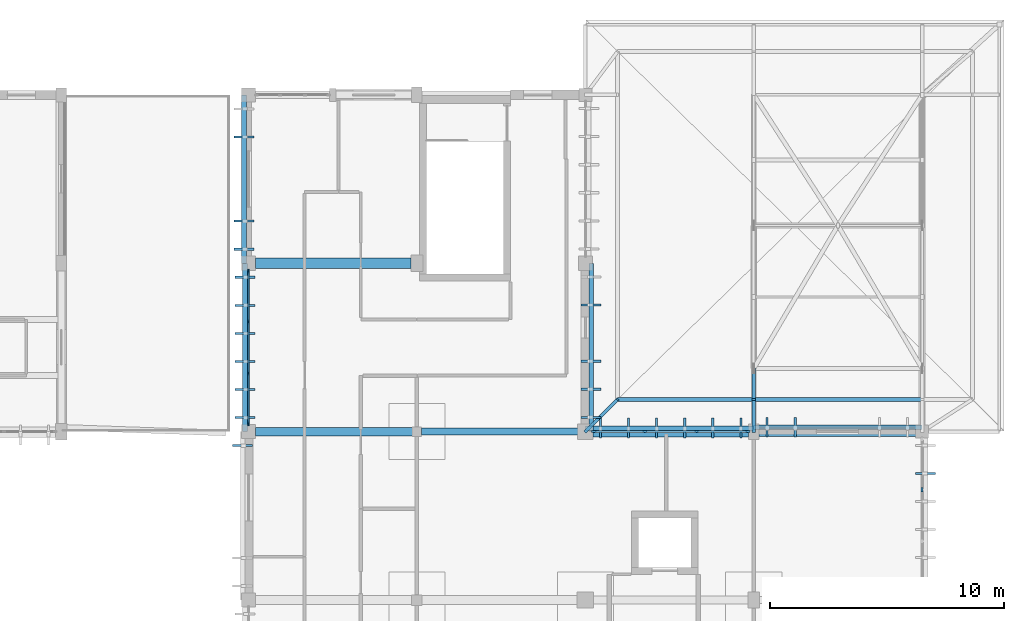
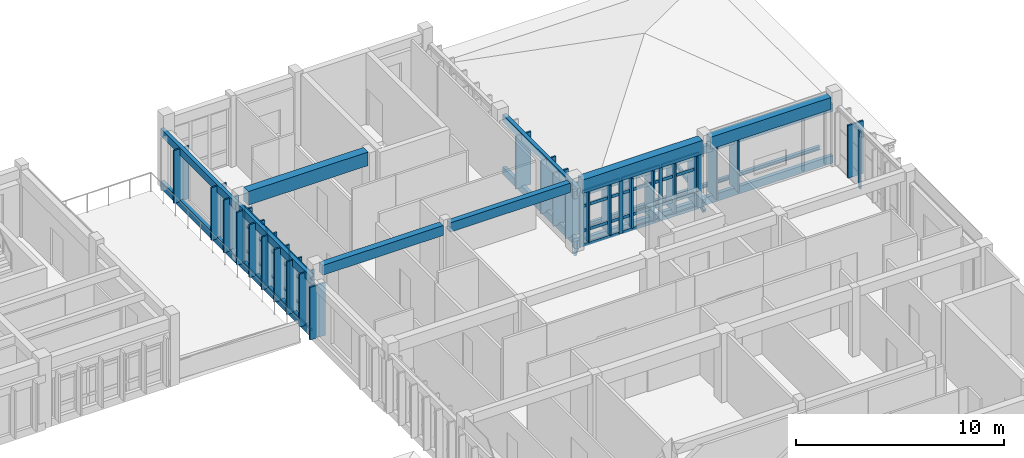
# One storey, part 15 of 51: 61 members, 15 beams, 3 elements without a shape of their own.
"""IFC4 building model written with IfcOpenShell, lengths in metres."""

import ifcopenshell
import ifcopenshell.guid

model = None  # the IFC model being written
_history = None  # IfcOwnerHistory: only IFC2X3 demands one
_inside = {}  # id of a spatial element -> (the spatial element, [elements in it])
_under = {}  # id of a project, library or spatial element -> (it, [spatial elements below it])
_declared = {}  # id of a project -> (the project, [libraries it declares])
_typed = {}  # id of a type object -> (the type object, [elements of that type])
_made_of = {}  # id of a material, layer set ... -> (it, [elements and type objects made of it])


def new_model(schema):
    """Start an empty IFC model of exactly this schema.

    Asked for "IFC4X3", IfcOpenShell would pick the latest addendum, in which some entities
    have other attributes; the version numbers below select the first issue.
    IFC2X3 requires an IfcOwnerHistory on every rooted entity: one is made here for all.
    """
    global model, _history
    if schema == "IFC4X3":
        model = ifcopenshell.file(schema_version=(4, 3, 0, 0))
    else:
        model = ifcopenshell.file(schema=schema)
    _inside.clear()
    _under.clear()
    _declared.clear()
    _typed.clear()
    _made_of.clear()
    _history = None
    if model.schema == "IFC2X3":
        org = make("IfcOrganization", Name="unknown")
        user = make(
            "IfcPersonAndOrganization",
            ThePerson=make("IfcPerson", FamilyName="unknown"),
            TheOrganization=org,
        )
        app = make(
            "IfcApplication",
            ApplicationDeveloper=org,
            Version="unknown",
            ApplicationFullName="unknown",
            ApplicationIdentifier="unknown",
        )
        _history = make(
            "IfcOwnerHistory",
            OwningUser=user,
            OwningApplication=app,
            ChangeAction="ADDED",
            CreationDate=0,
        )
    return model


def make(cls, **values):
    """One entity of the class cls with the attributes given. An attribute that is None is left unset."""
    return model.create_entity(
        cls, **{name: value for name, value in values.items() if value is not None}
    )


def rooted(cls, **values):
    """An entity with a GlobalId (a new one), such as an element, a storey or a relation."""
    return make(cls, GlobalId=ifcopenshell.guid.new(), OwnerHistory=_history, **values)


def si_unit(unit_type, name, prefix=None):
    """IfcSIUnit, for example si_unit("LENGTHUNIT", "METRE", prefix="MILLI")."""
    return make("IfcSIUnit", UnitType=unit_type, Prefix=prefix, Name=name)


def assignment(units):
    """IfcUnitAssignment: the units of a project."""
    return None if units is None else make("IfcUnitAssignment", Units=units)


def point(xyz):
    """IfcCartesianPoint."""
    return None if xyz is None else make("IfcCartesianPoint", Coordinates=xyz)


def direction(xyz):
    """IfcDirection."""
    return None if xyz is None else make("IfcDirection", DirectionRatios=xyz)


def frame(location, z_axis=None, x_axis=None):
    """IfcAxis2Placement3D, a coordinate frame: its origin and axes. An axis left out is left unset."""
    return make(
        "IfcAxis2Placement3D",
        Location=point(location),
        Axis=direction(z_axis),
        RefDirection=direction(x_axis),
    )


def frame_2d(location, x_axis=None):
    """IfcAxis2Placement2D, a coordinate frame in the plane: its origin and x axis."""
    return make(
        "IfcAxis2Placement2D", Location=point(location), RefDirection=direction(x_axis)
    )


def origin():
    """The frame at (0, 0, 0) with its axes left unset."""
    return frame((0.0, 0.0, 0.0))


def origin_2d():
    """The frame at (0, 0) in the plane with its x axis left unset."""
    return frame_2d((0.0, 0.0))


def place(relative_to, where):
    """IfcLocalPlacement: puts the frame where relative to a parent placement (None: the world)."""
    return make(
        "IfcLocalPlacement", PlacementRelTo=relative_to, RelativePlacement=where
    )


def context(
    kind, dimensions, precision=None, world=None, true_north=None, identifier=None
):
    """IfcGeometricRepresentationContext, for example the 3D "Model" context."""
    return make(
        "IfcGeometricRepresentationContext",
        ContextIdentifier=identifier,
        ContextType=kind,
        CoordinateSpaceDimension=dimensions,
        Precision=precision,
        WorldCoordinateSystem=world,
        TrueNorth=true_north,
    )


def subcontext(parent, identifier, kind, view, scale=None):
    """IfcGeometricRepresentationSubContext, for example "Body" below "Model"."""
    return make(
        "IfcGeometricRepresentationSubContext",
        ContextIdentifier=identifier,
        ContextType=kind,
        ParentContext=parent,
        TargetScale=scale,
        TargetView=view,
    )


def project(units=None, contexts=None):
    """IfcProject with its units and contexts."""
    return rooted(
        "IfcProject",
        Name="project",
        RepresentationContexts=contexts,
        UnitsInContext=assignment(units),
    )


def spatial(cls, under=None, at=None, **own):
    """A site, building, storey or space (cls), placed at a placement, below another one or the project."""
    s = rooted(cls, ObjectPlacement=at, **own)
    if under is not None:
        _under.setdefault(under.id(), (under, []))[1].append(s)
    return s


def profile(cls, at=None, kind="AREA", **sizes):
    """A parametric profile (cls). Its sizes go by their IFC names, for example OverallWidth=200.0."""
    return make(cls, ProfileType=kind, Position=at, **sizes)


def rectangle(**sizes):
    """IfcRectangleProfileDef."""
    return profile("IfcRectangleProfileDef", **sizes)


def i_section(**sizes):
    """IfcIShapeProfileDef."""
    return profile("IfcIShapeProfileDef", **sizes)


def extrude(swept, where, along, depth):
    """IfcExtrudedAreaSolid: the profile swept, set in the frame where, extruded along a direction by depth."""
    return make(
        "IfcExtrudedAreaSolid",
        SweptArea=swept,
        Position=where,
        ExtrudedDirection=direction(along),
        Depth=depth,
    )


def shape(context_of_items, identifier, shape_type, items):
    """IfcShapeRepresentation: the items that make up one representation, for example the "Body"."""
    return make(
        "IfcShapeRepresentation",
        ContextOfItems=context_of_items,
        RepresentationIdentifier=identifier,
        RepresentationType=shape_type,
        Items=items,
    )


def material(Name=None, Category=None):
    """IfcMaterial."""
    return make("IfcMaterial", Name=Name, Category=Category)


def material_profile(
    of_material, cross_section, Name=None, Category=None, Priority=None
):
    """IfcMaterialProfile: a cross section and its material."""
    return make(
        "IfcMaterialProfile",
        Name=Name,
        Material=of_material,
        Profile=cross_section,
        Priority=Priority,
        Category=Category,
    )


def profile_set(profiles, Name=None, composite=None):
    """IfcMaterialProfileSet."""
    return make(
        "IfcMaterialProfileSet",
        Name=Name,
        MaterialProfiles=profiles,
        CompositeProfile=composite,
    )


def made_of(thing, what):
    """Note that an element or type object is made of a material, layer set ...; save() writes the relation."""
    if what is not None:
        _made_of.setdefault(what.id(), (what, []))[1].append(thing)
    return thing


def type_object(cls, material=None, **own):
    """A type object (cls), such as IfcWallType, which elements share."""
    return made_of(rooted(cls, **own), material)


def element(
    cls,
    number,
    at=None,
    inside=None,
    cuts=None,
    type_object=None,
    material=None,
    context=None,
    identifier="Body",
    shape_type=None,
    held_by="IfcProductDefinitionShape",
    body=None,
    shapes=None,
    **own,
):
    """One element of the class cls, such as IfcWall. Its Tag is "e" and its number.

    at: its placement. inside: the storey or other place that contains it. cuts: it is an
    opening in that element (IfcRelVoidsElement). A single representation is given by context,
    identifier, shape_type and body (its items); several are given by shapes. held_by: the class
    of the entity that holds the representations. save() writes the other relations.
    """
    e = rooted(cls, Tag="e%d" % number, ObjectPlacement=at, **own)
    if body is not None:
        shapes = [shape(context, identifier, shape_type, body)]
    if shapes is not None:
        e.Representation = make(held_by, Representations=shapes)
    if inside is not None:
        _inside.setdefault(inside.id(), (inside, []))[1].append(e)
    if cuts is not None:
        rooted(
            "IfcRelVoidsElement", RelatingBuildingElement=cuts, RelatedOpeningElement=e
        )
    if type_object is not None:
        _typed.setdefault(type_object.id(), (type_object, []))[1].append(e)
    return made_of(e, material)


def aggregate(whole, parts):
    """IfcRelAggregates: a whole, such as a stair, and the parts it consists of."""
    return rooted("IfcRelAggregates", RelatingObject=whole, RelatedObjects=parts)


def save(model, path):
    """Write the relations noted so far, then the file.

    IfcRelAggregates (storeys below a building ...), IfcRelContainedInSpatialStructure (elements
    in a storey), IfcRelDefinesByType, IfcRelAssociatesMaterial and IfcRelDeclares: one each for
    every whole, place, type object, material and project.
    """
    for whole, parts in _under.values():
        aggregate(whole, parts)
    for where, things in _inside.values():
        rooted(
            "IfcRelContainedInSpatialStructure",
            RelatedElements=things,
            RelatingStructure=where,
        )
    for kind, things in _typed.values():
        rooted("IfcRelDefinesByType", RelatedObjects=things, RelatingType=kind)
    for what, things in _made_of.values():
        rooted("IfcRelAssociatesMaterial", RelatedObjects=things, RelatingMaterial=what)
    for by, libraries in _declared.values():
        rooted("IfcRelDeclares", RelatingContext=by, RelatedDefinitions=libraries)
    model.write(path)


model = new_model("IFC4")

# Units and contexts
model_context = context("Model", 3, precision=1e-05, world=origin(), true_north=direction((0.0, 1.0)))
body_context = subcontext(model_context, "Body", "Model", "MODEL_VIEW")
ifc_project = project(units=[si_unit("LENGTHUNIT", "METRE"), si_unit("AREAUNIT", "SQUARE_METRE"), si_unit("VOLUMEUNIT", "CUBIC_METRE"), si_unit("PLANEANGLEUNIT", "RADIAN"), si_unit("MASSUNIT", "GRAM", prefix="KILO")], contexts=[model_context])

# Site, building, storey
site_placement = place(None, origin())
site = spatial("IfcSite", under=ifc_project, at=site_placement, CompositionType="ELEMENT")
building_placement = place(site_placement, origin())
building = spatial("IfcBuilding", under=site, at=building_placement, Name="Steenspoor Specialist Clinic", CompositionType="ELEMENT")
storey_placement = place(building_placement, frame((0.0, 0.0, 17.39990234375)))
storey = spatial("IfcBuildingStorey", under=building, at=storey_placement, Name="L04", CompositionType="ELEMENT", Elevation=17.39990234375)

# Beams
ifc_material_1 = material(Name="Glulam GL28h", Category="wood")
ifc_material_profile_1 = material_profile(ifc_material_1, rectangle(XDim=0.199951171875, YDim=0.43994140625, at=origin_2d()), Name="GL28H-200X440")
ifc_profile_set_1 = profile_set([ifc_material_profile_1], Name="Glulam GL28h")
beam_type_1 = type_object("IfcBeamType", Name="BM-GL-200X440", PredefinedType="BEAM", material=ifc_profile_set_1)
for number, where, z_axis, x_axis, name in (
    (1, (117.85009765625, 93.949951171875, 0.14013671875), (0.0, 1.0, 0.0), (-1.0, 0.0, 0.0), "Timber Screen Tie Rail V6 L04 268"),
    (2, (117.85009765625, 93.949951171875, 3.22998046875), (0.0, 1.0, 0.0), (-1.0, 0.0, 0.0), "Timber Screen Tie Rail V6 L04 269"),
):
    element("IfcBeam", number, at=place(storey_placement, frame(where, z_axis=z_axis, x_axis=x_axis)), inside=storey, type_object=beam_type_1, Name=name, PredefinedType="BEAM", context=body_context, shape_type="SweptSolid", body=[
        extrude(rectangle(XDim=0.199951171875, YDim=0.43994140625, at=origin_2d()), origin(), (0.0, 0.0, 1.0), 7.199951171875),
    ])
for number, where, z_axis, x_axis, name in (
    (3, (117.81005859375, 101.14990234375, 0.14013671875), (0.0, 1.0, 0.0), (-1.0, 0.0, 0.0), "Timber Screen Tie Rail V6 L04 276"),
    (4, (117.81005859375, 101.14990234375, 3.22998046875), (0.0, 1.0, 0.0), (-1.0, 0.0, 0.0), "Timber Screen Tie Rail V6 L04 277"),
):
    element("IfcBeam", number, at=place(storey_placement, frame(where, z_axis=z_axis, x_axis=x_axis)), inside=storey, type_object=beam_type_1, Name=name, PredefinedType="BEAM", context=body_context, shape_type="SweptSolid", body=[
        extrude(rectangle(XDim=0.199951171875, YDim=0.43994140625, at=origin_2d()), origin(), (0.0, 0.0, 1.0), 7.2001953125),
    ])
for number, where, z_axis, x_axis, name in (
    (5, (132.64990234375, 101.14990234375, 0.14013671875), (0.0, -1.0, 0.0), (1.0, 0.0, 0.0), "Timber Screen Tie Rail V6 L04 290"),
    (6, (132.64990234375, 101.14990234375, 3.22998046875), (0.0, -1.0, 0.0), (1.0, 0.0, 0.0), "Timber Screen Tie Rail V6 L04 291"),
):
    element("IfcBeam", number, at=place(storey_placement, frame(where, z_axis=z_axis, x_axis=x_axis)), inside=storey, type_object=beam_type_1, Name=name, PredefinedType="BEAM", context=body_context, shape_type="SweptSolid", body=[
        extrude(rectangle(XDim=0.199951171875, YDim=0.43994140625, at=origin_2d()), origin(), (0.0, 0.0, 1.0), 7.199951171875),
    ])
for number, where, z_axis, x_axis, name in (
    (7, (132.39990234375, 94.10009765625, 0.14013671875), (1.0, 0.0, 0.0), (0.0, 1.0, 0.0), "Timber Screen Tie Rail V6 L04 297"),
    (8, (132.39990234375, 94.10009765625, 3.070068359375), (1.0, 0.0, 0.0), (0.0, 1.0, 0.0), "Timber Screen Tie Rail V6 L04 298"),
):
    element("IfcBeam", number, at=place(storey_placement, frame(where, z_axis=z_axis, x_axis=x_axis)), inside=storey, type_object=beam_type_1, Name=name, PredefinedType="BEAM", context=body_context, shape_type="SweptSolid", body=[
        extrude(rectangle(XDim=0.199951171875, YDim=0.43994140625, at=origin_2d()), origin(), (0.0, 0.0, 1.0), 7.2001953125),
    ])
for number, where, z_axis, x_axis, name in (
    (9, (139.60009765625, 94.139892578125, 0.14013671875), (1.0, 0.0, 0.0), (0.0, 1.0, 0.0), "Timber Screen Tie Rail V6 L04 305"),
    (10, (139.60009765625, 94.139892578125, 3.170166015625), (1.0, 0.0, 0.0), (0.0, 1.0, 0.0), "Timber Screen Tie Rail V6 L04 306"),
):
    element("IfcBeam", number, at=place(storey_placement, frame(where, z_axis=z_axis, x_axis=x_axis)), inside=storey, type_object=beam_type_1, Name=name, PredefinedType="BEAM", context=body_context, shape_type="SweptSolid", body=[
        extrude(rectangle(XDim=0.199951171875, YDim=0.43994140625, at=origin_2d()), origin(), (0.0, 0.0, 1.0), 7.199951171875),
    ])
ifc_material_2 = material(Name="Concrete C35/45", Category="concrete")
ifc_material_profile_2 = material_profile(ifc_material_2, rectangle(XDim=0.300048828125, YDim=0.550048828125, at=origin_2d()), Name="RC-BM-300X550")
ifc_profile_set_2 = profile_set([ifc_material_profile_2], Name="Concrete C35/45")
beam_type_2 = type_object("IfcBeamType", Name="BM-RC-300X550", PredefinedType="BEAM", material=ifc_profile_set_2)
beam_1_placement = place(storey_placement, frame((125.39501953125, 93.949951171875, 3.760009765625), z_axis=(1.0, 0.0, 0.0), x_axis=(0.0, 1.0, 0.0)))
element("IfcBeam", 11, at=beam_1_placement, inside=storey, type_object=beam_type_2, Name="BM-V6-L04-X1797", PredefinedType="BEAM", context=body_context, shape_type="SweptSolid", body=[
    extrude(rectangle(XDim=0.300048828125, YDim=0.550048828125, at=origin_2d()), origin(), (0.0, 0.0, 1.0), 6.68505859375),
])
ifc_material_profile_3 = material_profile(ifc_material_2, rectangle(XDim=0.35009765625, YDim=0.580078125, at=origin_2d()), Name="RC-BM-350X580")
ifc_profile_set_3 = profile_set([ifc_material_profile_3], Name="Concrete C35/45")
beam_type_3 = type_object("IfcBeamType", Name="BM-RC-350X580", PredefinedType="BEAM", material=ifc_profile_set_3)
beam_2_placement = place(storey_placement, frame((118.294921875, 93.949951171875, 3.7451171875), z_axis=(1.0, 0.0, 0.0), x_axis=(0.0, 1.0, 0.0)))
element("IfcBeam", 12, at=beam_2_placement, inside=storey, type_object=beam_type_3, Name="BM-V6-L04-X1796", PredefinedType="BEAM", context=body_context, shape_type="SweptSolid", body=[
    extrude(rectangle(XDim=0.35009765625, YDim=0.580078125, at=origin_2d()), origin(), (0.0, 0.0, 1.0), 6.7099609375),
])
ifc_material_profile_4 = material_profile(ifc_material_2, rectangle(XDim=0.39990234375, YDim=0.699951171875, at=origin_2d()), Name="RC-BM-400X700")
ifc_profile_set_4 = profile_set([ifc_material_profile_4], Name="Concrete C35/45")
beam_type_4 = type_object("IfcBeamType", Name="BM-RC-400X700", PredefinedType="BEAM", material=ifc_profile_set_4)
beam_3_placement = place(storey_placement, frame((139.820068359375, 93.949951171875, 3.68505859375), z_axis=(1.0, 0.0, 0.0), x_axis=(0.0, 1.0, 0.0)))
element("IfcBeam", 13, at=beam_3_placement, inside=storey, type_object=beam_type_4, Name="BM-V6-L04-X1799", PredefinedType="BEAM", context=body_context, shape_type="SweptSolid", body=[
    extrude(rectangle(XDim=0.39990234375, YDim=0.699951171875, at=origin_2d()), origin(), (0.0, 0.0, 1.0), 6.7099609375),
])
ifc_material_profile_5 = material_profile(ifc_material_2, rectangle(XDim=0.449951171875, YDim=0.800048828125, at=origin_2d()), Name="RC-BM-450X800")
ifc_profile_set_5 = profile_set([ifc_material_profile_5], Name="Concrete C35/45")
beam_type_5 = type_object("IfcBeamType", Name="BM-RC-450X800", PredefinedType="BEAM", material=ifc_profile_set_5)
beam_4_placement = place(storey_placement, frame((132.719970703125, 93.949951171875, 3.635009765625), z_axis=(1.0, 0.0, 0.0), x_axis=(0.0, 1.0, 0.0)))
element("IfcBeam", 14, at=beam_4_placement, inside=storey, type_object=beam_type_5, Name="BM-V6-L04-X1798", PredefinedType="BEAM", context=body_context, shape_type="SweptSolid", body=[
    extrude(rectangle(XDim=0.449951171875, YDim=0.800048828125, at=origin_2d()), origin(), (0.0, 0.0, 1.0), 6.659912109375),
])
beam_5_placement = place(storey_placement, frame((118.294921875, 101.14990234375, 3.635009765625), z_axis=(1.0, 0.0, 0.0), x_axis=(0.0, 1.0, 0.0)))
element("IfcBeam", 15, at=beam_5_placement, inside=storey, type_object=beam_type_5, Name="BM-V6-L04-X1800", PredefinedType="BEAM", context=body_context, shape_type="SweptSolid", body=[
    extrude(rectangle(XDim=0.449951171875, YDim=0.800048828125, at=origin_2d()), origin(), (0.0, 0.0, 1.0), 6.66015625),
])

# Curtain wall, members
ifc_material_3 = material(Name="Thermally broken aluminium and low-emissivity glass", Category="aluminium")
curtain_wall_type_1 = type_object("IfcCurtainWallType", Name="CW-TYP-360X355", PredefinedType="USERDEFINED", material=ifc_material_3)
curtain_wall_1_placement = place(storey_placement, origin())
curtain_wall_1 = element("IfcCurtainWall", 16, at=curtain_wall_1_placement, inside=storey, type_object=curtain_wall_type_1, Name="Unitised Curtain Wall CW-V6-L04-206", ObjectType="UNITISED GLAZING", PredefinedType="USERDEFINED")
ifc_material_4 = material(Name="Thermally broken aluminium 6063-T6", Category="aluminium")
ifc_material_profile_6 = material_profile(ifc_material_4, rectangle(XDim=0.070068359375, YDim=0.1650390625, at=origin_2d()), Name="CWM-70X165")
ifc_profile_set_6 = profile_set([ifc_material_profile_6], Name="Thermally broken aluminium 6063-T6")
member_type_1 = type_object("IfcMemberType", Name="CW-MULL-70X165", PredefinedType="MULLION", material=ifc_profile_set_6)
member_1_placement = place(storey_placement, frame((118.0, 94.284912109375, 0.0), z_axis=(0.0, 0.0, 1.0), x_axis=(-1.0, 0.0, 0.0)))
member_1 = element("IfcMember", 17, at=member_1_placement, type_object=member_type_1, Name="CW-14 mullion 1", PredefinedType="MULLION", context=body_context, shape_type="SweptSolid", body=[
    extrude(rectangle(XDim=0.070068359375, YDim=0.1650390625, at=origin_2d()), origin(), (0.0, 0.0, 1.0), 3.380126953125),
])
member_2_placement = place(storey_placement, frame((118.0, 96.449951171875, 0.0), z_axis=(0.0, 0.0, 1.0), x_axis=(-1.0, 0.0, 0.0)))
member_2 = element("IfcMember", 18, at=member_2_placement, type_object=member_type_1, Name="CW-14 mullion 2", PredefinedType="MULLION", context=body_context, shape_type="SweptSolid", body=[
    extrude(rectangle(XDim=0.070068359375, YDim=0.1650390625, at=origin_2d()), origin(), (0.0, 0.0, 1.0), 3.380126953125),
])
member_3_placement = place(storey_placement, frame((118.0, 98.64990234375, 0.0), z_axis=(0.0, 0.0, 1.0), x_axis=(-1.0, 0.0, 0.0)))
member_3 = element("IfcMember", 19, at=member_3_placement, type_object=member_type_1, Name="CW-14 mullion 3", PredefinedType="MULLION", context=body_context, shape_type="SweptSolid", body=[
    extrude(rectangle(XDim=0.070068359375, YDim=0.1650390625, at=origin_2d()), origin(), (0.0, 0.0, 1.0), 3.380126953125),
])
member_4_placement = place(storey_placement, frame((118.0, 100.81494140625, 0.0), z_axis=(0.0, 0.0, 1.0), x_axis=(-1.0, 0.0, 0.0)))
member_4 = element("IfcMember", 20, at=member_4_placement, type_object=member_type_1, Name="CW-14 mullion 4", PredefinedType="MULLION", context=body_context, shape_type="SweptSolid", body=[
    extrude(rectangle(XDim=0.070068359375, YDim=0.1650390625, at=origin_2d()), origin(), (0.0, 0.0, 1.0), 3.380126953125),
])

# Curtain wall, member
curtain_wall_type_2 = type_object("IfcCurtainWallType", Name="CW-TYP-540X355", PredefinedType="USERDEFINED", material=ifc_material_3)
curtain_wall_2_placement = place(storey_placement, origin())
curtain_wall_2 = element("IfcCurtainWall", 21, at=curtain_wall_2_placement, inside=storey, type_object=curtain_wall_type_2, Name="Unitised Curtain Wall CW-V6-L04-203", ObjectType="UNITISED GLAZING", PredefinedType="USERDEFINED")
ifc_material_profile_7 = material_profile(ifc_material_4, rectangle(XDim=0.090087890625, YDim=0.199951171875, at=origin_2d()), Name="CWM-90X200")
ifc_profile_set_7 = profile_set([ifc_material_profile_7], Name="Thermally broken aluminium 6063-T6")
member_type_2 = type_object("IfcMemberType", Name="CW-MULL-90X200", PredefinedType="MULLION", material=ifc_profile_set_7)
member_5_placement = place(storey_placement, frame((146.800048828125, 91.466552734375, 0.0), z_axis=(0.0, 0.0, 1.0), x_axis=(1.0, 0.0, 0.0)))
member_5 = element("IfcMember", 22, at=member_5_placement, type_object=member_type_2, Name="CW-11 mullion 2", PredefinedType="MULLION", context=body_context, shape_type="SweptSolid", body=[
    extrude(rectangle(XDim=0.090087890625, YDim=0.199951171875, at=origin_2d()), origin(), (0.0, 0.0, 1.0), 3.380126953125),
])
aggregate(curtain_wall_2, [member_5])

# Curtain wall, members
curtain_wall_type_3 = type_object("IfcCurtainWallType", Name="CW-SCR-660X320", PredefinedType="USERDEFINED", material=ifc_material_3)
curtain_wall_3_placement = place(storey_placement, origin())
curtain_wall_3 = element("IfcCurtainWall", 23, at=curtain_wall_3_placement, inside=storey, type_object=curtain_wall_type_3, Name="Unitised Curtain Wall CW-V6-L04-209", ObjectType="UNITISED GLAZING", PredefinedType="USERDEFINED")
member_6_placement = place(storey_placement, frame((132.77001953125, 93.949951171875, 0.0), z_axis=(0.0, 0.0, 1.0), x_axis=(0.0, 1.0, 0.0)))
member_6 = element("IfcMember", 24, at=member_6_placement, type_object=member_type_2, Name="CW-17 mullion 1", PredefinedType="MULLION", context=body_context, shape_type="SweptSolid", body=[
    extrude(rectangle(XDim=0.090087890625, YDim=0.199951171875, at=origin_2d()), origin(), (0.0, 0.0, 1.0), 3.22021484375),
])
member_7_placement = place(storey_placement, frame((134.941650390625, 93.949951171875, 0.0), z_axis=(0.0, 0.0, 1.0), x_axis=(0.0, 1.0, 0.0)))
member_7 = element("IfcMember", 25, at=member_7_placement, type_object=member_type_2, Name="CW-17 mullion 2", PredefinedType="MULLION", context=body_context, shape_type="SweptSolid", body=[
    extrude(rectangle(XDim=0.090087890625, YDim=0.199951171875, at=origin_2d()), origin(), (0.0, 0.0, 1.0), 3.22021484375),
])
member_8_placement = place(storey_placement, frame((137.158447265625, 93.949951171875, 0.0), z_axis=(0.0, 0.0, 1.0), x_axis=(0.0, 1.0, 0.0)))
member_8 = element("IfcMember", 26, at=member_8_placement, type_object=member_type_2, Name="CW-17 mullion 3", PredefinedType="MULLION", context=body_context, shape_type="SweptSolid", body=[
    extrude(rectangle(XDim=0.090087890625, YDim=0.199951171875, at=origin_2d()), origin(), (0.0, 0.0, 1.0), 3.22021484375),
])
member_9_placement = place(storey_placement, frame((139.330078125, 93.949951171875, 0.0), z_axis=(0.0, 0.0, 1.0), x_axis=(0.0, 1.0, 0.0)))
member_9 = element("IfcMember", 27, at=member_9_placement, type_object=member_type_2, Name="CW-17 mullion 4", PredefinedType="MULLION", context=body_context, shape_type="SweptSolid", body=[
    extrude(rectangle(XDim=0.090087890625, YDim=0.199951171875, at=origin_2d()), origin(), (0.0, 0.0, 1.0), 3.22021484375),
])

# Member
ifc_material_profile_8 = material_profile(ifc_material_4, rectangle(XDim=0.070068359375, YDim=0.14501953125, at=origin_2d()), Name="CWT-70X145")
ifc_profile_set_8 = profile_set([ifc_material_profile_8], Name="Thermally broken aluminium 6063-T6")
member_type_3 = type_object("IfcMemberType", Name="CW-TRAN-70X145", PredefinedType="USERDEFINED", material=ifc_profile_set_8)
member_10_placement = place(storey_placement, frame((118.0, 94.320068359375, 0.03515625), z_axis=(0.0, 1.0, 0.0), x_axis=(-1.0, 0.0, 0.0)))
member_10 = element("IfcMember", 28, at=member_10_placement, type_object=member_type_3, Name="CW-14 transom 1.1", ObjectType="TRANSOM", PredefinedType="USERDEFINED", context=body_context, shape_type="SweptSolid", body=[
    extrude(rectangle(XDim=0.070068359375, YDim=0.14501953125, at=origin_2d()), origin(), (0.0, 0.0, 1.0), 2.094970703125),
])

member_11_placement = place(storey_placement, frame((118.0, 94.320068359375, 0.900146484375), z_axis=(0.0, 1.0, 0.0), x_axis=(-1.0, 0.0, 0.0)))
member_11 = element("IfcMember", 29, at=member_11_placement, type_object=member_type_3, Name="CW-14 transom 1.2", ObjectType="TRANSOM", PredefinedType="USERDEFINED", context=body_context, shape_type="SweptSolid", body=[
    extrude(rectangle(XDim=0.070068359375, YDim=0.14501953125, at=origin_2d()), origin(), (0.0, 0.0, 1.0), 2.094970703125),
])

member_12_placement = place(storey_placement, frame((118.0, 94.320068359375, 2.35009765625), z_axis=(0.0, 1.0, 0.0), x_axis=(-1.0, 0.0, 0.0)))
member_12 = element("IfcMember", 30, at=member_12_placement, type_object=member_type_3, Name="CW-14 transom 1.3", ObjectType="TRANSOM", PredefinedType="USERDEFINED", context=body_context, shape_type="SweptSolid", body=[
    extrude(rectangle(XDim=0.070068359375, YDim=0.14501953125, at=origin_2d()), origin(), (0.0, 0.0, 1.0), 2.094970703125),
])

member_13_placement = place(storey_placement, frame((118.0, 94.320068359375, 3.34521484375), z_axis=(0.0, 1.0, 0.0), x_axis=(-1.0, 0.0, 0.0)))
member_13 = element("IfcMember", 31, at=member_13_placement, type_object=member_type_3, Name="CW-14 transom 1.4", ObjectType="TRANSOM", PredefinedType="USERDEFINED", context=body_context, shape_type="SweptSolid", body=[
    extrude(rectangle(XDim=0.070068359375, YDim=0.14501953125, at=origin_2d()), origin(), (0.0, 0.0, 1.0), 2.094970703125),
])

member_14_placement = place(storey_placement, frame((118.0, 96.485107421875, 0.03515625), z_axis=(0.0, 1.0, 0.0), x_axis=(-1.0, 0.0, 0.0)))
member_14 = element("IfcMember", 32, at=member_14_placement, type_object=member_type_3, Name="CW-14 transom 2.1", ObjectType="TRANSOM", PredefinedType="USERDEFINED", context=body_context, shape_type="SweptSolid", body=[
    extrude(rectangle(XDim=0.070068359375, YDim=0.14501953125, at=origin_2d()), origin(), (0.0, 0.0, 1.0), 2.1298828125),
])

member_15_placement = place(storey_placement, frame((118.0, 96.485107421875, 0.900146484375), z_axis=(0.0, 1.0, 0.0), x_axis=(-1.0, 0.0, 0.0)))
member_15 = element("IfcMember", 33, at=member_15_placement, type_object=member_type_3, Name="CW-14 transom 2.2", ObjectType="TRANSOM", PredefinedType="USERDEFINED", context=body_context, shape_type="SweptSolid", body=[
    extrude(rectangle(XDim=0.070068359375, YDim=0.14501953125, at=origin_2d()), origin(), (0.0, 0.0, 1.0), 2.1298828125),
])

member_16_placement = place(storey_placement, frame((118.0, 96.485107421875, 2.35009765625), z_axis=(0.0, 1.0, 0.0), x_axis=(-1.0, 0.0, 0.0)))
member_16 = element("IfcMember", 34, at=member_16_placement, type_object=member_type_3, Name="CW-14 transom 2.3", ObjectType="TRANSOM", PredefinedType="USERDEFINED", context=body_context, shape_type="SweptSolid", body=[
    extrude(rectangle(XDim=0.070068359375, YDim=0.14501953125, at=origin_2d()), origin(), (0.0, 0.0, 1.0), 2.1298828125),
])

member_17_placement = place(storey_placement, frame((118.0, 96.485107421875, 3.34521484375), z_axis=(0.0, 1.0, 0.0), x_axis=(-1.0, 0.0, 0.0)))
member_17 = element("IfcMember", 35, at=member_17_placement, type_object=member_type_3, Name="CW-14 transom 2.4", ObjectType="TRANSOM", PredefinedType="USERDEFINED", context=body_context, shape_type="SweptSolid", body=[
    extrude(rectangle(XDim=0.070068359375, YDim=0.14501953125, at=origin_2d()), origin(), (0.0, 0.0, 1.0), 2.1298828125),
])

member_18_placement = place(storey_placement, frame((118.0, 98.68505859375, 0.03515625), z_axis=(0.0, 1.0, 0.0), x_axis=(-1.0, 0.0, 0.0)))
member_18 = element("IfcMember", 36, at=member_18_placement, type_object=member_type_3, Name="CW-14 transom 3.1", ObjectType="TRANSOM", PredefinedType="USERDEFINED", context=body_context, shape_type="SweptSolid", body=[
    extrude(rectangle(XDim=0.070068359375, YDim=0.14501953125, at=origin_2d()), origin(), (0.0, 0.0, 1.0), 2.094970703125),
])

member_19_placement = place(storey_placement, frame((118.0, 98.68505859375, 0.900146484375), z_axis=(0.0, 1.0, 0.0), x_axis=(-1.0, 0.0, 0.0)))
member_19 = element("IfcMember", 37, at=member_19_placement, type_object=member_type_3, Name="CW-14 transom 3.2", ObjectType="TRANSOM", PredefinedType="USERDEFINED", context=body_context, shape_type="SweptSolid", body=[
    extrude(rectangle(XDim=0.070068359375, YDim=0.14501953125, at=origin_2d()), origin(), (0.0, 0.0, 1.0), 2.094970703125),
])

member_20_placement = place(storey_placement, frame((118.0, 98.68505859375, 2.35009765625), z_axis=(0.0, 1.0, 0.0), x_axis=(-1.0, 0.0, 0.0)))
member_20 = element("IfcMember", 38, at=member_20_placement, type_object=member_type_3, Name="CW-14 transom 3.3", ObjectType="TRANSOM", PredefinedType="USERDEFINED", context=body_context, shape_type="SweptSolid", body=[
    extrude(rectangle(XDim=0.070068359375, YDim=0.14501953125, at=origin_2d()), origin(), (0.0, 0.0, 1.0), 2.094970703125),
])

member_21_placement = place(storey_placement, frame((118.0, 98.68505859375, 3.34521484375), z_axis=(0.0, 1.0, 0.0), x_axis=(-1.0, 0.0, 0.0)))
member_21 = element("IfcMember", 39, at=member_21_placement, type_object=member_type_3, Name="CW-14 transom 3.4", ObjectType="TRANSOM", PredefinedType="USERDEFINED", context=body_context, shape_type="SweptSolid", body=[
    extrude(rectangle(XDim=0.070068359375, YDim=0.14501953125, at=origin_2d()), origin(), (0.0, 0.0, 1.0), 2.094970703125),
])

aggregate(curtain_wall_1, [member_1, member_2, member_3, member_4, member_10, member_11, member_12, member_13, member_14, member_15, member_16, member_17, member_18, member_19, member_20, member_21])

ifc_material_profile_9 = material_profile(ifc_material_4, rectangle(XDim=0.090087890625, YDim=0.175048828125, at=origin_2d()), Name="CWT-90X175")
ifc_profile_set_9 = profile_set([ifc_material_profile_9], Name="Thermally broken aluminium 6063-T6")
member_type_4 = type_object("IfcMemberType", Name="CW-TRAN-90X175", PredefinedType="USERDEFINED", material=ifc_profile_set_9)
member_22_placement = place(storey_placement, frame((132.81494140625, 93.949951171875, 0.045166015625), z_axis=(1.0, 0.0, 0.0), x_axis=(0.0, 1.0, 0.0)))
member_22 = element("IfcMember", 40, at=member_22_placement, type_object=member_type_4, Name="CW-17 transom 1.1", ObjectType="TRANSOM", PredefinedType="USERDEFINED", context=body_context, shape_type="SweptSolid", body=[
    extrude(rectangle(XDim=0.090087890625, YDim=0.175048828125, at=origin_2d()), origin(), (0.0, 0.0, 1.0), 2.081787109375),
])

member_23_placement = place(storey_placement, frame((132.81494140625, 93.949951171875, 0.900146484375), z_axis=(1.0, 0.0, 0.0), x_axis=(0.0, 1.0, 0.0)))
member_23 = element("IfcMember", 41, at=member_23_placement, type_object=member_type_4, Name="CW-17 transom 1.2", ObjectType="TRANSOM", PredefinedType="USERDEFINED", context=body_context, shape_type="SweptSolid", body=[
    extrude(rectangle(XDim=0.090087890625, YDim=0.175048828125, at=origin_2d()), origin(), (0.0, 0.0, 1.0), 2.081787109375),
])

member_24_placement = place(storey_placement, frame((132.81494140625, 93.949951171875, 2.35009765625), z_axis=(1.0, 0.0, 0.0), x_axis=(0.0, 1.0, 0.0)))
member_24 = element("IfcMember", 42, at=member_24_placement, type_object=member_type_4, Name="CW-17 transom 1.3", ObjectType="TRANSOM", PredefinedType="USERDEFINED", context=body_context, shape_type="SweptSolid", body=[
    extrude(rectangle(XDim=0.090087890625, YDim=0.175048828125, at=origin_2d()), origin(), (0.0, 0.0, 1.0), 2.081787109375),
])

member_25_placement = place(storey_placement, frame((132.81494140625, 93.949951171875, 3.175048828125), z_axis=(1.0, 0.0, 0.0), x_axis=(0.0, 1.0, 0.0)))
member_25 = element("IfcMember", 43, at=member_25_placement, type_object=member_type_4, Name="CW-17 transom 1.4", ObjectType="TRANSOM", PredefinedType="USERDEFINED", context=body_context, shape_type="SweptSolid", body=[
    extrude(rectangle(XDim=0.090087890625, YDim=0.175048828125, at=origin_2d()), origin(), (0.0, 0.0, 1.0), 2.081787109375),
])

member_26_placement = place(storey_placement, frame((134.986572265625, 93.949951171875, 0.045166015625), z_axis=(1.0, 0.0, 0.0), x_axis=(0.0, 1.0, 0.0)))
member_26 = element("IfcMember", 44, at=member_26_placement, type_object=member_type_4, Name="CW-17 transom 2.1", ObjectType="TRANSOM", PredefinedType="USERDEFINED", context=body_context, shape_type="SweptSolid", body=[
    extrude(rectangle(XDim=0.090087890625, YDim=0.175048828125, at=origin_2d()), origin(), (0.0, 0.0, 1.0), 2.126708984375),
])

member_27_placement = place(storey_placement, frame((134.986572265625, 93.949951171875, 0.900146484375), z_axis=(1.0, 0.0, 0.0), x_axis=(0.0, 1.0, 0.0)))
member_27 = element("IfcMember", 45, at=member_27_placement, type_object=member_type_4, Name="CW-17 transom 2.2", ObjectType="TRANSOM", PredefinedType="USERDEFINED", context=body_context, shape_type="SweptSolid", body=[
    extrude(rectangle(XDim=0.090087890625, YDim=0.175048828125, at=origin_2d()), origin(), (0.0, 0.0, 1.0), 2.126708984375),
])

member_28_placement = place(storey_placement, frame((134.986572265625, 93.949951171875, 2.35009765625), z_axis=(1.0, 0.0, 0.0), x_axis=(0.0, 1.0, 0.0)))
member_28 = element("IfcMember", 46, at=member_28_placement, type_object=member_type_4, Name="CW-17 transom 2.3", ObjectType="TRANSOM", PredefinedType="USERDEFINED", context=body_context, shape_type="SweptSolid", body=[
    extrude(rectangle(XDim=0.090087890625, YDim=0.175048828125, at=origin_2d()), origin(), (0.0, 0.0, 1.0), 2.126708984375),
])

member_29_placement = place(storey_placement, frame((134.986572265625, 93.949951171875, 3.175048828125), z_axis=(1.0, 0.0, 0.0), x_axis=(0.0, 1.0, 0.0)))
member_29 = element("IfcMember", 47, at=member_29_placement, type_object=member_type_4, Name="CW-17 transom 2.4", ObjectType="TRANSOM", PredefinedType="USERDEFINED", context=body_context, shape_type="SweptSolid", body=[
    extrude(rectangle(XDim=0.090087890625, YDim=0.175048828125, at=origin_2d()), origin(), (0.0, 0.0, 1.0), 2.126708984375),
])

member_30_placement = place(storey_placement, frame((137.203369140625, 93.949951171875, 0.045166015625), z_axis=(1.0, 0.0, 0.0), x_axis=(0.0, 1.0, 0.0)))
member_30 = element("IfcMember", 48, at=member_30_placement, type_object=member_type_4, Name="CW-17 transom 3.1", ObjectType="TRANSOM", PredefinedType="USERDEFINED", context=body_context, shape_type="SweptSolid", body=[
    extrude(rectangle(XDim=0.090087890625, YDim=0.175048828125, at=origin_2d()), origin(), (0.0, 0.0, 1.0), 2.08154296875),
])

member_31_placement = place(storey_placement, frame((137.203369140625, 93.949951171875, 0.900146484375), z_axis=(1.0, 0.0, 0.0), x_axis=(0.0, 1.0, 0.0)))
member_31 = element("IfcMember", 49, at=member_31_placement, type_object=member_type_4, Name="CW-17 transom 3.2", ObjectType="TRANSOM", PredefinedType="USERDEFINED", context=body_context, shape_type="SweptSolid", body=[
    extrude(rectangle(XDim=0.090087890625, YDim=0.175048828125, at=origin_2d()), origin(), (0.0, 0.0, 1.0), 2.08154296875),
])

member_32_placement = place(storey_placement, frame((137.203369140625, 93.949951171875, 2.35009765625), z_axis=(1.0, 0.0, 0.0), x_axis=(0.0, 1.0, 0.0)))
member_32 = element("IfcMember", 50, at=member_32_placement, type_object=member_type_4, Name="CW-17 transom 3.3", ObjectType="TRANSOM", PredefinedType="USERDEFINED", context=body_context, shape_type="SweptSolid", body=[
    extrude(rectangle(XDim=0.090087890625, YDim=0.175048828125, at=origin_2d()), origin(), (0.0, 0.0, 1.0), 2.08154296875),
])

member_33_placement = place(storey_placement, frame((137.203369140625, 93.949951171875, 3.175048828125), z_axis=(1.0, 0.0, 0.0), x_axis=(0.0, 1.0, 0.0)))
member_33 = element("IfcMember", 51, at=member_33_placement, type_object=member_type_4, Name="CW-17 transom 3.4", ObjectType="TRANSOM", PredefinedType="USERDEFINED", context=body_context, shape_type="SweptSolid", body=[
    extrude(rectangle(XDim=0.090087890625, YDim=0.175048828125, at=origin_2d()), origin(), (0.0, 0.0, 1.0), 2.08154296875),
])

aggregate(curtain_wall_3, [member_6, member_7, member_8, member_9, member_22, member_23, member_24, member_25, member_26, member_27, member_28, member_29, member_30, member_31, member_32, member_33])

# Members
ifc_material_5 = material(Name="Steel A992 Grade 50", Category="steel")
ifc_material_profile_10 = material_profile(ifc_material_5, i_section(OverallWidth=0.1650390625, OverallDepth=0.200927734375, WebThickness=0.006103515625, FlangeThickness=0.01025390625, at=origin_2d()), Name="W200X36")
ifc_profile_set_10 = profile_set([ifc_material_profile_10], Name="Steel A992 Grade 50")
member_type_5 = type_object("IfcMemberType", Name="MEM-PURLIN-W200", PredefinedType="PURLIN", material=ifc_profile_set_10)
member_34_placement = place(storey_placement, frame((133.780029296875, 95.330078125, 0.065185546875), z_axis=(1.0, 0.0, 0.0), x_axis=(0.0, 1.0, 0.0)))
element("IfcMember", 52, at=member_34_placement, inside=storey, type_object=member_type_5, Name="ROOF TRUSS Knuckle Purlin 497", PredefinedType="PURLIN", context=body_context, shape_type="SweptSolid", body=[
    extrude(i_section(OverallWidth=0.1650390625, OverallDepth=0.200927734375, WebThickness=0.006103515625, FlangeThickness=0.01025390625, at=origin_2d()), origin(), (0.0, 0.0, 1.0), 5.820068359375),
])
member_35_placement = place(storey_placement, frame((139.60009765625, 95.330078125, 0.065185546875), z_axis=(1.0, 0.0, 0.0), x_axis=(0.0, 1.0, 0.0)))
element("IfcMember", 53, at=member_35_placement, inside=storey, type_object=member_type_5, Name="ROOF TRUSS Knuckle Purlin 499", PredefinedType="PURLIN", context=body_context, shape_type="SweptSolid", body=[
    extrude(i_section(OverallWidth=0.1650390625, OverallDepth=0.200927734375, WebThickness=0.006103515625, FlangeThickness=0.01025390625, at=origin_2d()), origin(), (0.0, 0.0, 1.0), 7.199951171875),
])
ifc_material_profile_11 = material_profile(ifc_material_1, rectangle(XDim=0.139892578125, YDim=0.219970703125, at=origin_2d()), Name="GL28H-140X220")
ifc_profile_set_11 = profile_set([ifc_material_profile_11], Name="Glulam GL28h")
member_type_6 = type_object("IfcMemberType", Name="MEM-RAFTER-GL220", PredefinedType="RAFTER", material=ifc_profile_set_11)
member_36_placement = place(storey_placement, frame((139.60009765625, 93.949951171875, -0.3349609375), z_axis=(0.0, 0.937624653648, 0.347649261285), x_axis=(-1.0, 0.0, 0.0)))
element("IfcMember", 54, at=member_36_placement, inside=storey, type_object=member_type_6, Name="ROOF TRUSS Knuckle Rafter V6T3 336", PredefinedType="RAFTER", context=body_context, shape_type="SweptSolid", body=[
    extrude(rectangle(XDim=0.139892578125, YDim=0.219970703125, at=origin_2d()), origin(), (0.0, 0.0, 1.0), 1.471923828125),
])
member_37_placement = place(storey_placement, frame((132.39990234375, 93.949951171875, -0.35498046875), z_axis=(0.682241524507, 0.682241524507, 0.262855482112), x_axis=(-0.707106781187, 0.707106781187, 0.0)))
element("IfcMember", 55, at=member_37_placement, inside=storey, type_object=member_type_6, Name="ROOF TRUSS Corner Knuckle Rafter V6T3 346", PredefinedType="RAFTER", context=body_context, shape_type="SweptSolid", body=[
    extrude(rectangle(XDim=0.139892578125, YDim=0.219970703125, at=origin_2d()), origin(), (0.0, 0.0, 1.0), 2.02294921875),
])
member_38_placement = place(storey_placement, frame((139.60009765625, 93.949951171875, 0.253173828125), z_axis=(0.0, 0.984053050615, 0.177875219114), x_axis=(-1.0, 0.0, 0.0)))
element("IfcMember", 56, at=member_38_placement, inside=storey, type_object=member_type_6, Name="ROOF TRUSS Heel Strut V6T3 S 2", PredefinedType="RAFTER", context=body_context, shape_type="SweptSolid", body=[
    extrude(rectangle(XDim=0.139892578125, YDim=0.219970703125, at=origin_2d()), origin(), (0.0, 0.0, 1.0), 2.74365234375),
])
ifc_material_profile_12 = material_profile(ifc_material_1, rectangle(XDim=0.090087890625, YDim=0.85009765625, at=origin_2d()), Name="GL28H-90X850")
ifc_profile_set_12 = profile_set([ifc_material_profile_12], Name="Glulam GL28h")
member_type_7 = type_object("IfcMemberType", Name="MEM-SCREEN-GL850", PredefinedType="STRUT", material=ifc_profile_set_12)
for number, where, z_axis, x_axis, name in (
    (57, (146.949951171875, 92.16259765625, 0.27001953125), (0.0, 0.0, 1.0), (0.0, -1.0, 0.0), "Glulam Timber Screen Fin SCR-FIN-V6-L04-0239"),
    (58, (117.75, 93.35009765625, 0.27001953125), (0.0, 0.0, 1.0), (0.0, 1.0, 0.0), "Glulam Timber Screen Fin SCR-FIN-V6-L04-0267"),
    (59, (117.85009765625, 94.550048828125, 0.27001953125), (0.0, 0.0, 1.0), (0.0, 1.0, 0.0), "Glulam Timber Screen Fin SCR-FIN-V6-L04-0270"),
    (60, (117.85009765625, 95.75, 0.27001953125), (0.0, 0.0, 1.0), (0.0, 1.0, 0.0), "Glulam Timber Screen Fin SCR-FIN-V6-L04-0271"),
    (61, (117.85009765625, 96.949951171875, 0.27001953125), (0.0, 0.0, 1.0), (0.0, 1.0, 0.0), "Glulam Timber Screen Fin SCR-FIN-V6-L04-0272"),
    (62, (117.85009765625, 98.14990234375, 0.27001953125), (0.0, 0.0, 1.0), (0.0, 1.0, 0.0), "Glulam Timber Screen Fin SCR-FIN-V6-L04-0273"),
    (63, (117.85009765625, 99.35009765625, 0.27001953125), (0.0, 0.0, 1.0), (0.0, 1.0, 0.0), "Glulam Timber Screen Fin SCR-FIN-V6-L04-0274"),
    (64, (117.85009765625, 100.550048828125, 0.27001953125), (0.0, 0.0, 1.0), (0.0, 1.0, 0.0), "Glulam Timber Screen Fin SCR-FIN-V6-L04-0275"),
    (65, (117.81005859375, 101.75, 0.27001953125), (0.0, 0.0, 1.0), (0.0, 1.0, 0.0), "Glulam Timber Screen Fin SCR-FIN-V6-L04-0278"),
    (66, (117.81005859375, 102.949951171875, 0.27001953125), (0.0, 0.0, 1.0), (0.0, 1.0, 0.0), "Glulam Timber Screen Fin SCR-FIN-V6-L04-0279"),
    (67, (117.81005859375, 106.550048828125, 0.27001953125), (0.0, 0.0, 1.0), (0.0, 1.0, 0.0), "Glulam Timber Screen Fin SCR-FIN-V6-L04-0280"),
    (68, (132.64990234375, 99.362548828125, 0.27001953125), (0.0, 0.0, 1.0), (0.0, -1.0, 0.0), "Glulam Timber Screen Fin SCR-FIN-V6-L04-0293"),
    (69, (132.64990234375, 96.96240234375, 0.27001953125), (0.0, 0.0, 1.0), (0.0, -1.0, 0.0), "Glulam Timber Screen Fin SCR-FIN-V6-L04-0294"),
    (70, (132.64990234375, 95.762451171875, 0.27001953125), (0.0, 0.0, 1.0), (0.0, -1.0, 0.0), "Glulam Timber Screen Fin SCR-FIN-V6-L04-0295"),
    (71, (132.64990234375, 94.5625, 0.27001953125), (0.0, 0.0, 1.0), (0.0, -1.0, 0.0), "Glulam Timber Screen Fin SCR-FIN-V6-L04-0296"),
):
    element("IfcMember", number, at=place(storey_placement, frame(where, z_axis=z_axis, x_axis=x_axis)), inside=storey, type_object=member_type_7, Name=name, PredefinedType="STRUT", context=body_context, shape_type="SweptSolid", body=[
        extrude(rectangle(XDim=0.090087890625, YDim=0.85009765625, at=origin_2d()), origin(), (0.0, 0.0, 1.0), 3.10009765625),
    ])
for number, where, z_axis, x_axis, name in (
    (72, (133.050048828125, 94.10009765625, 0.27001953125), (0.0, 0.0, 1.0), (1.0, 0.0, 0.0), "Glulam Timber Screen Fin SCR-FIN-V6-L04-0299"),
    (73, (134.25, 94.10009765625, 0.27001953125), (0.0, 0.0, 1.0), (1.0, 0.0, 0.0), "Glulam Timber Screen Fin SCR-FIN-V6-L04-0300"),
    (74, (135.449951171875, 94.10009765625, 0.27001953125), (0.0, 0.0, 1.0), (1.0, 0.0, 0.0), "Glulam Timber Screen Fin SCR-FIN-V6-L04-0301"),
    (75, (136.64990234375, 94.10009765625, 0.27001953125), (0.0, 0.0, 1.0), (1.0, 0.0, 0.0), "Glulam Timber Screen Fin SCR-FIN-V6-L04-0302"),
    (76, (137.85009765625, 94.10009765625, 0.27001953125), (0.0, 0.0, 1.0), (1.0, 0.0, 0.0), "Glulam Timber Screen Fin SCR-FIN-V6-L04-0303"),
    (77, (139.050048828125, 94.10009765625, 0.27001953125), (0.0, 0.0, 1.0), (1.0, 0.0, 0.0), "Glulam Timber Screen Fin SCR-FIN-V6-L04-0304"),
):
    element("IfcMember", number, at=place(storey_placement, frame(where, z_axis=z_axis, x_axis=x_axis)), inside=storey, type_object=member_type_7, Name=name, PredefinedType="STRUT", context=body_context, shape_type="SweptSolid", body=[
        extrude(rectangle(XDim=0.090087890625, YDim=0.85009765625, at=origin_2d()), origin(), (0.0, 0.0, 1.0), 2.940185546875),
    ])
for number, where, z_axis, x_axis, name in (
    (78, (140.175048828125, 94.139892578125, 0.27001953125), (0.0, 0.0, 1.0), (1.0, 0.0, 0.0), "Glulam Timber Screen Fin SCR-FIN-V6-L04-0307"),
    (79, (141.375, 94.139892578125, 0.27001953125), (0.0, 0.0, 1.0), (1.0, 0.0, 0.0), "Glulam Timber Screen Fin SCR-FIN-V6-L04-0308"),
):
    element("IfcMember", number, at=place(storey_placement, frame(where, z_axis=z_axis, x_axis=x_axis)), inside=storey, type_object=member_type_7, Name=name, PredefinedType="STRUT", context=body_context, shape_type="SweptSolid", body=[
        extrude(rectangle(XDim=0.090087890625, YDim=0.85009765625, at=origin_2d()), origin(), (0.0, 0.0, 1.0), 3.0400390625),
    ])

save(model, "model.ifc")
